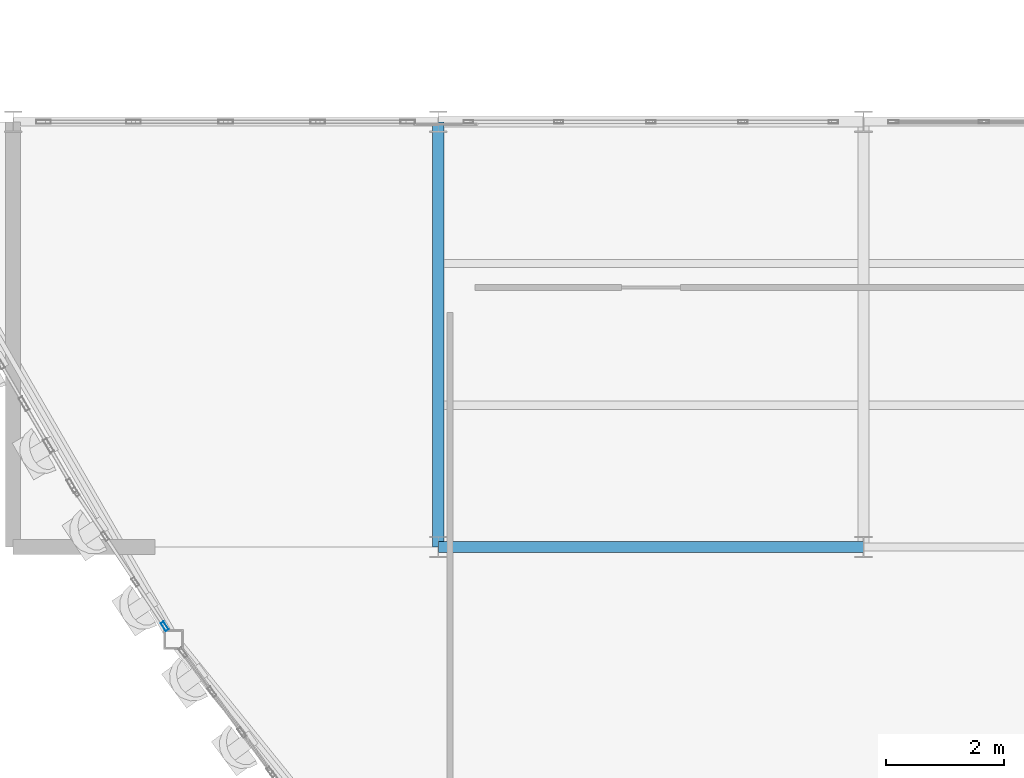
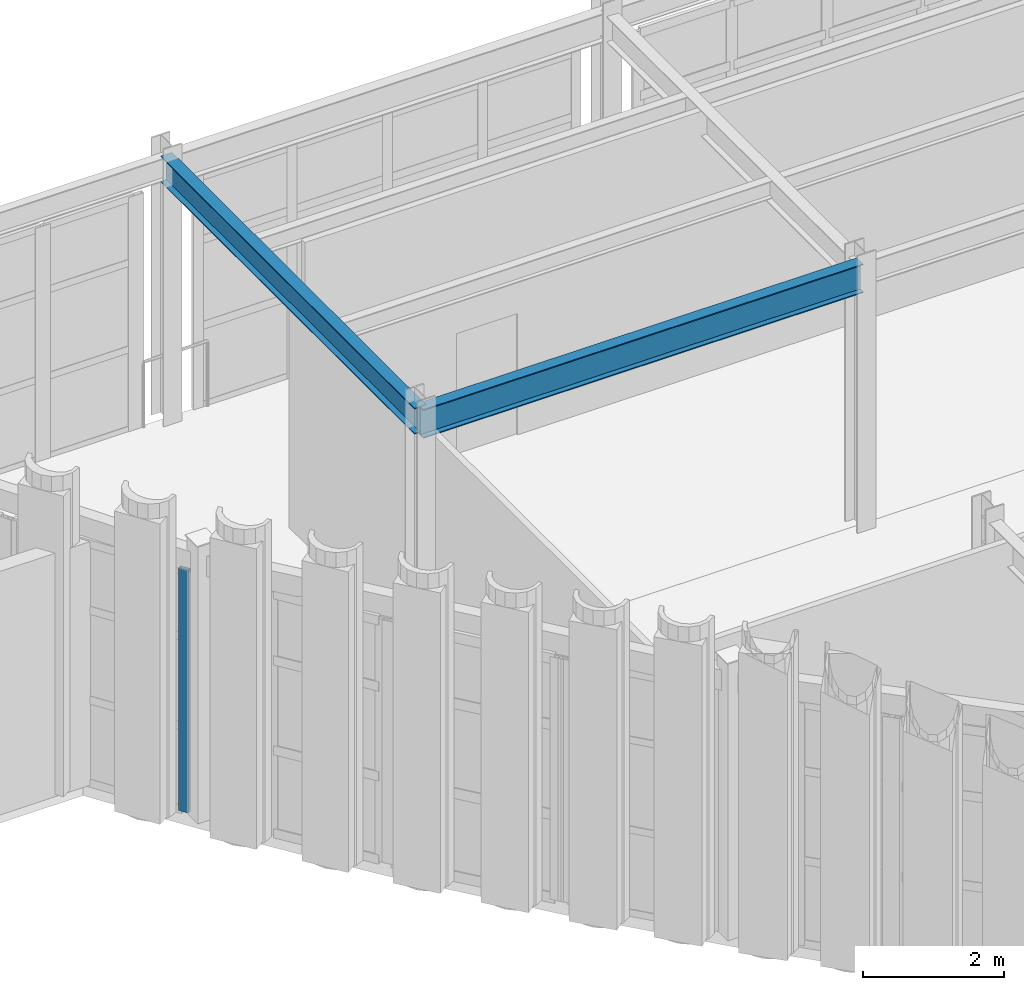
# One storey, part 23 of 126: 2 beams, 1 member, 1 element without a shape of its own.
"""IFC4 building model written with IfcOpenShell, lengths in metres."""

from ifc_helpers import new_model, si_unit, direction, frame, origin, origin_2d, place, context, subcontext, project, spatial, hollow_rectangle, i_section, extrude, material, layer, layer_set, material_profile, profile_set, type_object, element, aggregate, save


model = new_model("IFC4")

# Units and contexts
model_context = context("Model", 3, precision=1e-05, world=origin(), true_north=direction((0.0, 1.0)))
body_context = subcontext(model_context, "Body", "Model", "MODEL_VIEW")
ifc_project = project(units=[si_unit("LENGTHUNIT", "METRE"), si_unit("AREAUNIT", "SQUARE_METRE"), si_unit("VOLUMEUNIT", "CUBIC_METRE"), si_unit("PLANEANGLEUNIT", "RADIAN"), si_unit("MASSUNIT", "GRAM", prefix="KILO")], contexts=[model_context])

# Site, building, storey
site_placement = place(None, origin())
site = spatial("IfcSite", under=ifc_project, at=site_placement, CompositionType="ELEMENT")
building_placement = place(site_placement, origin())
building = spatial("IfcBuilding", under=site, at=building_placement, Name="Solvadek Multi-Sports Hall", CompositionType="ELEMENT")
storey_placement = place(building_placement, frame((0.0, 0.0, 9.60009765625)))
storey = spatial("IfcBuildingStorey", under=building, at=storey_placement, Name="L02", CompositionType="ELEMENT", Elevation=9.60009765625)

# Curtain wall, member
ifc_material_1 = material(Name="Anodised aluminium", Category="aluminium")
ifc_layer = layer(ifc_material_1, 0.159912109375, Name="Anodised aluminium")
ifc_layer_set = layer_set([ifc_layer], Name="Anodised aluminium")
curtain_wall_type = type_object("IfcCurtainWallType", Name="ENV-CW-279X420", PredefinedType="USERDEFINED", material=ifc_layer_set)
curtain_wall_placement = place(storey_placement, origin())
curtain_wall = element("IfcCurtainWall", 1, at=curtain_wall_placement, inside=storey, type_object=curtain_wall_type, Name="L02 Crescent Curved Curtain Wall #6", ObjectType="CURTAIN WALL", PredefinedType="USERDEFINED")
ifc_material_profile_1 = material_profile(ifc_material_1, hollow_rectangle(XDim=0.06005859375, YDim=0.159912109375, WallThickness=0.00390625, at=origin_2d()), Name="ALU-M 160x60x4")
ifc_profile_set_1 = profile_set([ifc_material_profile_1], Name="Anodised aluminium")
member_type = type_object("IfcMemberType", Name="ENV-CWM-01", PredefinedType="MULLION", material=ifc_profile_set_1)
member_placement = place(storey_placement, frame((31.3662109375, 11.857666015625, 0.0), z_axis=(0.0, 0.0, 1.0), x_axis=(0.834097230292, 0.551617449343, 0.0)))
member = element("IfcMember", 2, at=member_placement, type_object=member_type, Name="CW-03 mullion 4", PredefinedType="MULLION", context=body_context, shape_type="SweptSolid", body=[
    extrude(hollow_rectangle(XDim=0.06005859375, YDim=0.159912109375, WallThickness=0.00390625, at=origin_2d()), origin(), (0.0, 0.0, 1.0), 4.199951171875),
])
aggregate(curtain_wall, [member])

# Beams
ifc_material_2 = material(Name="Steel E350 (350 MPa)", Category="steel")
ifc_material_profile_2 = material_profile(ifc_material_2, i_section(OverallWidth=0.179931640625, OverallDepth=0.5, WebThickness=0.01025390625, FlangeThickness=0.01708984375, at=origin_2d()), Name="ISMB 500")
ifc_profile_set_2 = profile_set([ifc_material_profile_2], Name="Steel E350 (350 MPa)")
beam_type_1 = type_object("IfcBeamType", Name="STR-BM-ISMB500", PredefinedType="BEAM", material=ifc_profile_set_2)
beam_1_placement = place(storey_placement, frame((36.0, 13.199951171875, 4.309814453125), z_axis=(1.0, 0.0, 0.0), x_axis=(0.0, 1.0, 0.0)))
element("IfcBeam", 3, at=beam_1_placement, inside=storey, type_object=beam_type_1, Name="L02 Girder B-07 #1320", PredefinedType="BEAM", context=body_context, shape_type="SweptSolid", body=[
    extrude(i_section(OverallWidth=0.179931640625, OverallDepth=0.5, WebThickness=0.01025390625, FlangeThickness=0.01708984375, at=origin_2d()), origin(), (0.0, 0.0, 1.0), 7.199951171875),
])
ifc_material_profile_3 = material_profile(ifc_material_2, i_section(OverallWidth=0.18994140625, OverallDepth=0.449951171875, WebThickness=0.009521484375, FlangeThickness=0.0146484375, at=origin_2d()), Name="NPB 450")
ifc_profile_set_3 = profile_set([ifc_material_profile_3], Name="Steel E350 (350 MPa)")
beam_type_2 = type_object("IfcBeamType", Name="STR-BM-NPB450", PredefinedType="BEAM", material=ifc_profile_set_3)
beam_2_placement = place(storey_placement, frame((36.0, 13.199951171875, 4.3349609375), z_axis=(0.0, 1.0, 0.0), x_axis=(-1.0, 0.0, 0.0)))
element("IfcBeam", 4, at=beam_2_placement, inside=storey, type_object=beam_type_2, Name="L02 Girder B-08 #1502", PredefinedType="BEAM", context=body_context, shape_type="SweptSolid", body=[
    extrude(i_section(OverallWidth=0.18994140625, OverallDepth=0.449951171875, WebThickness=0.009521484375, FlangeThickness=0.0146484375, at=origin_2d()), origin(), (0.0, 0.0, 1.0), 7.199951171875),
])

save(model, "model.ifc")
